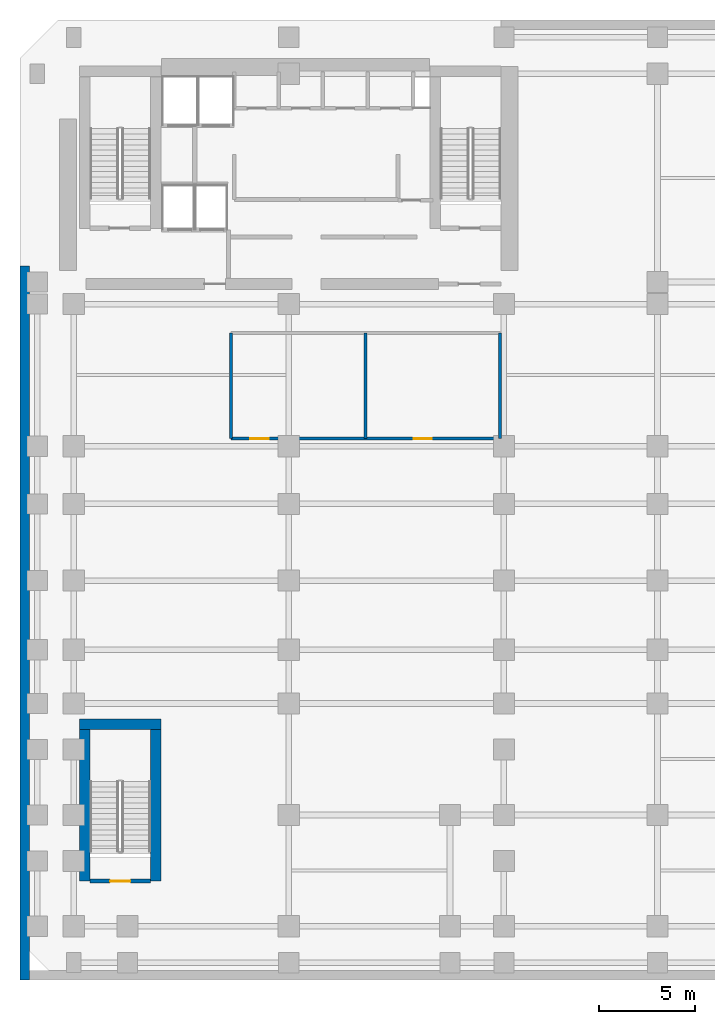
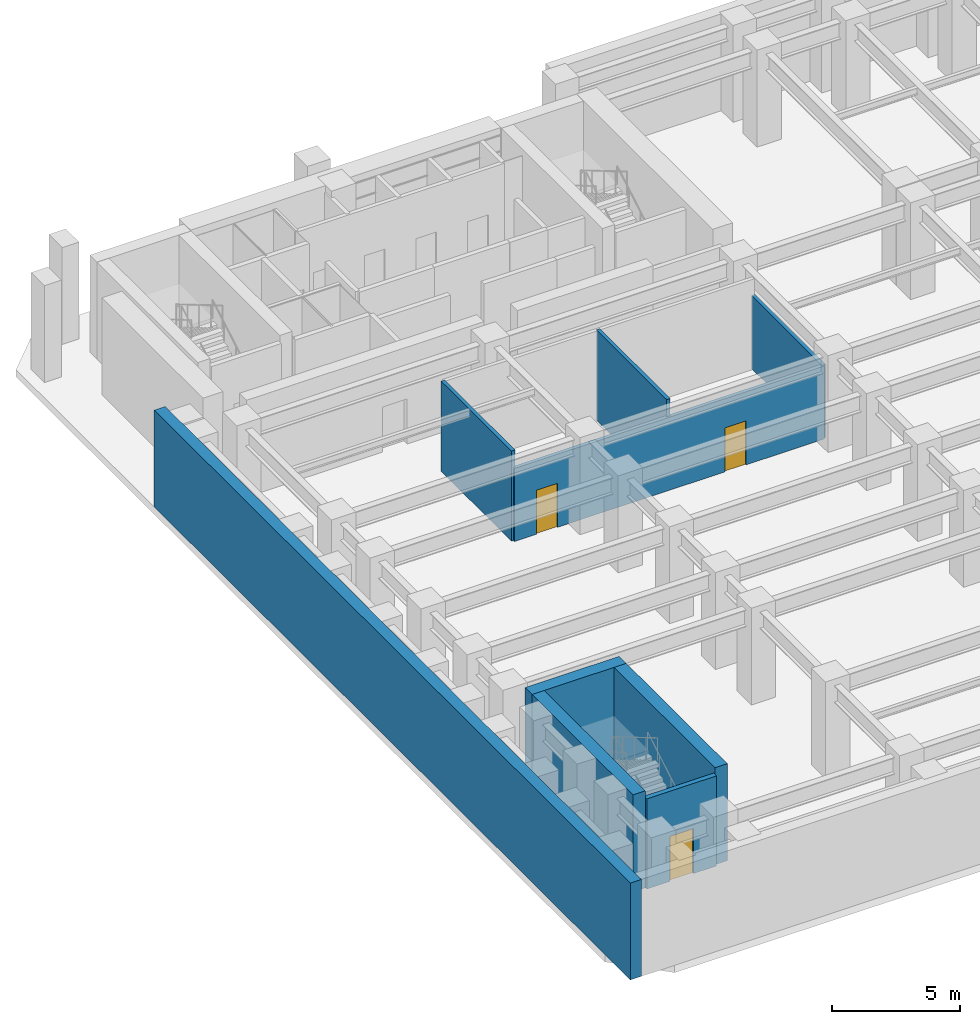
# One storey, part 5 of 12: 9 walls, 3 doors, 3 openings.
"""IFC4 building model written with IfcOpenShell, lengths in metres."""

from ifc_helpers import new_model, si_unit, direction, frame, frame_2d, origin, place, context, subcontext, project, spatial, rectangle, extrude, material, layer, layer_set, type_object, element, fill, save


model = new_model("IFC4")

# Units and contexts
model_context = context("Model", 3, precision=1e-05, world=origin(), true_north=direction((0.0, 1.0)))
body_context = subcontext(model_context, "Body", "Model", "MODEL_VIEW")
ifc_project = project(units=[si_unit("LENGTHUNIT", "METRE"), si_unit("AREAUNIT", "SQUARE_METRE"), si_unit("VOLUMEUNIT", "CUBIC_METRE"), si_unit("PLANEANGLEUNIT", "RADIAN"), si_unit("MASSUNIT", "GRAM", prefix="KILO")], contexts=[model_context])

# Site, building, storey
site_placement = place(None, origin())
site = spatial("IfcSite", under=ifc_project, at=site_placement, CompositionType="ELEMENT")
building_placement = place(site_placement, origin())
building = spatial("IfcBuilding", under=site, at=building_placement, Name="Kefirva Bronze Tower", CompositionType="ELEMENT")
storey_placement = place(building_placement, frame((0.0, 0.0, -4.6201171875)))
storey = spatial("IfcBuildingStorey", under=building, at=storey_placement, Name="B1", CompositionType="ELEMENT", Elevation=-4.6201171875)

# Wall, opening, door
ifc_material_1 = material(Name="Gypsum fireboard shaftwall")
ifc_layer_1 = layer(ifc_material_1, 0.219970703125, Name="Gypsum fireboard shaftwall")
ifc_layer_set_1 = layer_set([ifc_layer_1], Name="Gypsum fireboard shaftwall")
wall_type_1 = type_object("IfcWallType", Name="Fire-Rated Shaft Enclosure Wall 220mm", PredefinedType="PARTITIONING", material=ifc_layer_set_1)
wall_1_placement = place(storey_placement, frame((1.64990234375, 3.14990234375, 0.0), z_axis=(0.0, 0.0, 1.0), x_axis=(1.0, 0.0, 0.0)))
wall_1 = element("IfcWall", 1, at=wall_1_placement, inside=storey, type_object=wall_type_1, Name="B1 Partition W-B1-ST3S", PredefinedType="PARTITIONING", context=body_context, shape_type="SweptSolid", body=[
    extrude(rectangle(XDim=3.150146484375, YDim=0.219970703125, at=frame_2d((1.5751953125, 0.0))), origin(), (0.0, 0.0, 1.0), 4.300048828125),
])
opening_1_placement = place(wall_1_placement, frame((2.10009765625, 0.0, 0.0), z_axis=(0.0, 0.0, 1.0), x_axis=(-1.0, 0.0, 0.0)))
opening_1 = element("IfcOpeningElement", 2, at=opening_1_placement, cuts=wall_1, Name="Opening B1-D-ST3", PredefinedType="OPENING", context=body_context, shape_type="SweptSolid", body=[
    extrude(rectangle(XDim=1.050048828125, YDim=2.14990234375, at=frame_2d((0.52490234375, 1.074951171875))), frame((0.0, 0.1201171875, 0.0), z_axis=(0.0, -1.0, 0.0), x_axis=(1.0, 0.0, 0.0)), (0.0, 0.0, 1.0), 0.239990234375),
])
ifc_material_2 = material(Name="Painted galvanized steel", Category="steel")
door_type_1 = type_object("IfcDoorType", Name="Fire Stair Enclosure Door 1050x2150 FD90S", OperationType="NOTDEFINED", PredefinedType="DOOR", material=ifc_material_2)
door_1_placement = place(opening_1_placement, origin())
door_1 = element("IfcDoor", 3, at=door_1_placement, inside=storey, type_object=door_type_1, Name="Door B1-D-ST3", OperationType="SINGLE_SWING_RIGHT", OverallHeight=2.14990234375, OverallWidth=1.050048828125, PredefinedType="DOOR", context=body_context, shape_type="SweptSolid", body=[
    extrude(rectangle(XDim=1.050048828125, YDim=2.14990234375, at=frame_2d((0.52490234375, 1.074951171875))), frame((0.0, 0.02490234375, 0.0), z_axis=(0.0, -1.0, 0.0), x_axis=(1.0, 0.0, 0.0)), (0.0, 0.0, 1.0), 0.050048828125),
])
fill(opening_1, door_1)

# Wall, openings, doors
ifc_material_3 = material(Name="Gypsum acoustic partition")
ifc_layer_2 = layer(ifc_material_3, 0.159912109375, Name="Gypsum acoustic partition")
ifc_layer_set_2 = layer_set([ifc_layer_2], Name="Gypsum acoustic partition")
wall_type_2 = type_object("IfcWallType", Name="Protected Corridor Partition 160mm", PredefinedType="PARTITIONING", material=ifc_layer_set_2)
wall_2_placement = place(storey_placement, frame((9.0, 26.199951171875, 0.0), z_axis=(0.0, 0.0, 1.0), x_axis=(1.0, 0.0, 0.0)))
wall_2 = element("IfcWall", 4, at=wall_2_placement, inside=storey, type_object=wall_type_2, Name="B1 Partition W-B1-PLT", PredefinedType="PARTITIONING", context=body_context, shape_type="SweptSolid", body=[
    extrude(rectangle(XDim=14.0, YDim=0.159912109375, at=frame_2d((7.0, 0.0))), origin(), (0.0, 0.0, 1.0), 3.485107421875),
])
opening_2_placement = place(wall_2_placement, frame((1.0, 0.0, 0.0)))
opening_2 = element("IfcOpeningElement", 5, at=opening_2_placement, cuts=wall_2, Name="Opening B1-D-PLT1", PredefinedType="OPENING", context=body_context, shape_type="SweptSolid", body=[
    extrude(rectangle(XDim=0.949951171875, YDim=2.10009765625, at=frame_2d((0.47509765625, 1.050048828125))), frame((0.0, 0.08984375, 0.0), z_axis=(0.0, -1.0, 0.0), x_axis=(1.0, 0.0, 0.0)), (0.0, 0.0, 1.0), 0.179931640625),
])
opening_3_placement = place(wall_2_placement, frame((9.5, 0.0, 0.0)))
opening_3 = element("IfcOpeningElement", 6, at=opening_3_placement, cuts=wall_2, Name="Opening B1-D-PLT2", PredefinedType="OPENING", context=body_context, shape_type="SweptSolid", body=[
    extrude(rectangle(XDim=0.949951171875, YDim=2.10009765625, at=frame_2d((0.47509765625, 1.050048828125))), frame((0.0, 0.08984375, 0.0), z_axis=(0.0, -1.0, 0.0), x_axis=(1.0, 0.0, 0.0)), (0.0, 0.0, 1.0), 0.179931640625),
])
door_type_2 = type_object("IfcDoorType", Name="Riser & Plant Shaft Fire Door 950x2100 FD60S", OperationType="NOTDEFINED", PredefinedType="DOOR", material=ifc_material_2)
door_2_placement = place(opening_2_placement, origin())
door_2 = element("IfcDoor", 7, at=door_2_placement, inside=storey, type_object=door_type_2, Name="Door B1-D-PLT1", OperationType="SINGLE_SWING_RIGHT", OverallHeight=2.10009765625, OverallWidth=0.949951171875, PredefinedType="DOOR", context=body_context, shape_type="SweptSolid", body=[
    extrude(rectangle(XDim=0.949951171875, YDim=2.10009765625, at=frame_2d((0.47509765625, 1.050048828125))), frame((0.0, 0.02490234375, 0.0), z_axis=(0.0, -1.0, 0.0), x_axis=(1.0, 0.0, 0.0)), (0.0, 0.0, 1.0), 0.050048828125),
])
fill(opening_2, door_2)
door_3_placement = place(opening_3_placement, origin())
door_3 = element("IfcDoor", 8, at=door_3_placement, inside=storey, type_object=door_type_2, Name="Door B1-D-PLT2", OperationType="SINGLE_SWING_LEFT", OverallHeight=2.10009765625, OverallWidth=0.949951171875, PredefinedType="DOOR", context=body_context, shape_type="SweptSolid", body=[
    extrude(rectangle(XDim=0.949951171875, YDim=2.10009765625, at=frame_2d((0.47509765625, 1.050048828125))), frame((0.0, 0.02490234375, 0.0), z_axis=(0.0, -1.0, 0.0), x_axis=(1.0, 0.0, 0.0)), (0.0, 0.0, 1.0), 0.050048828125),
])
fill(opening_3, door_3)

# Walls
wall_3_placement = place(storey_placement, frame((9.0, 26.199951171875, 0.0), z_axis=(0.0, 0.0, 1.0), x_axis=(0.0, 1.0, 0.0)))
element("IfcWall", 9, at=wall_3_placement, inside=storey, type_object=wall_type_2, Name="B1 Partition W-B1-PLTW", PredefinedType="PARTITIONING", context=body_context, shape_type="SweptSolid", body=[
    extrude(rectangle(XDim=5.5, YDim=0.159912109375, at=frame_2d((2.75, 0.0))), origin(), (0.0, 0.0, 1.0), 4.300048828125),
])
wall_4_placement = place(storey_placement, frame((23.0, 26.199951171875, 0.0), z_axis=(0.0, 0.0, 1.0), x_axis=(0.0, 1.0, 0.0)))
element("IfcWall", 10, at=wall_4_placement, inside=storey, type_object=wall_type_2, Name="B1 Partition W-B1-PLTE", PredefinedType="PARTITIONING", context=body_context, shape_type="SweptSolid", body=[
    extrude(rectangle(XDim=5.5, YDim=0.159912109375, at=frame_2d((2.75, 0.0))), origin(), (0.0, 0.0, 1.0), 3.485107421875),
])
wall_5_placement = place(storey_placement, frame((16.0, 26.199951171875, 0.0), z_axis=(0.0, 0.0, 1.0), x_axis=(0.0, 1.0, 0.0)))
element("IfcWall", 11, at=wall_5_placement, inside=storey, type_object=wall_type_2, Name="B1 Partition W-B1-PLTM", PredefinedType="PARTITIONING", context=body_context, shape_type="SweptSolid", body=[
    extrude(rectangle(XDim=5.5, YDim=0.159912109375, at=frame_2d((2.75, 0.0))), origin(), (0.0, 0.0, 1.0), 4.300048828125),
])
ifc_material_4 = material(Name="Concrete C40/50", Category="concrete")
ifc_layer_3 = layer(ifc_material_4, 0.5, Name="Concrete C40/50")
ifc_layer_set_3 = layer_set([ifc_layer_3], Name="Concrete C40/50")
wall_type_3 = type_object("IfcWallType", Name="RC Basement Retaining Wall 500mm", PredefinedType="SOLIDWALL", material=ifc_layer_set_3)
wall_6_placement = place(storey_placement, frame((-1.75, -2.0, 0.0), z_axis=(0.0, 0.0, 1.0), x_axis=(0.0, 1.0, 0.0)))
element("IfcWall", 12, at=wall_6_placement, inside=storey, type_object=wall_type_3, Name="B1 W Retaining Wall", PredefinedType="SOLIDWALL", context=body_context, shape_type="SweptSolid", body=[
    extrude(rectangle(XDim=37.199951171875, YDim=0.5, at=frame_2d((18.60009765625, 0.0))), origin(), (0.0, 0.0, 1.0), 4.6201171875),
])
ifc_material_5 = material(Name="Concrete C50/60", Category="concrete")
ifc_layer_4 = layer(ifc_material_5, 0.550048828125, Name="Concrete C50/60")
ifc_layer_set_4 = layer_set([ifc_layer_4], Name="Concrete C50/60")
wall_type_4 = type_object("IfcWallType", Name="RC Rear Core Interior Wall 550mm", PredefinedType="SHEAR", material=ifc_layer_set_4)
for number, where, z_axis, x_axis, name in (
    (13, (1.3701171875, 3.14990234375, 0.0), (0.0, 0.0, 1.0), (0.0, 1.0, 0.0), "B1 Stair 3 West Shear Wall"),
    (14, (5.070068359375, 3.14990234375, 0.0), (0.0, 0.0, 1.0), (0.0, 1.0, 0.0), "B1 Stair 3 East Shear Wall"),
):
    element("IfcWall", number, at=place(storey_placement, frame(where, z_axis=z_axis, x_axis=x_axis)), inside=storey, type_object=wall_type_4, Name=name, PredefinedType="SHEAR", context=body_context, shape_type="SweptSolid", body=[
        extrude(rectangle(XDim=7.89013671875, YDim=0.550048828125, at=frame_2d((3.945068359375, 0.0))), origin(), (0.0, 0.0, 1.0), 4.6201171875),
    ])
wall_7_placement = place(storey_placement, frame((1.10009765625, 11.320068359375, 0.0), z_axis=(0.0, 0.0, 1.0), x_axis=(1.0, 0.0, 0.0)))
element("IfcWall", 15, at=wall_7_placement, inside=storey, type_object=wall_type_4, Name="B1 Stair 3 North Shear Wall", PredefinedType="SHEAR", context=body_context, shape_type="SweptSolid", body=[
    extrude(rectangle(XDim=4.239990234375, YDim=0.550048828125, at=frame_2d((2.1201171875, 0.0))), origin(), (0.0, 0.0, 1.0), 4.6201171875),
])

save(model, "model.ifc")
